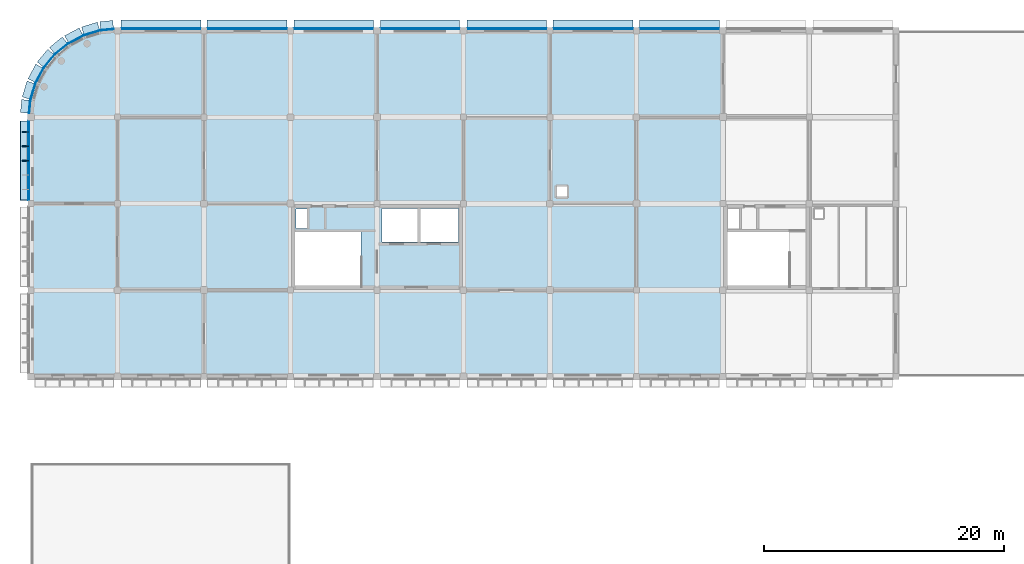
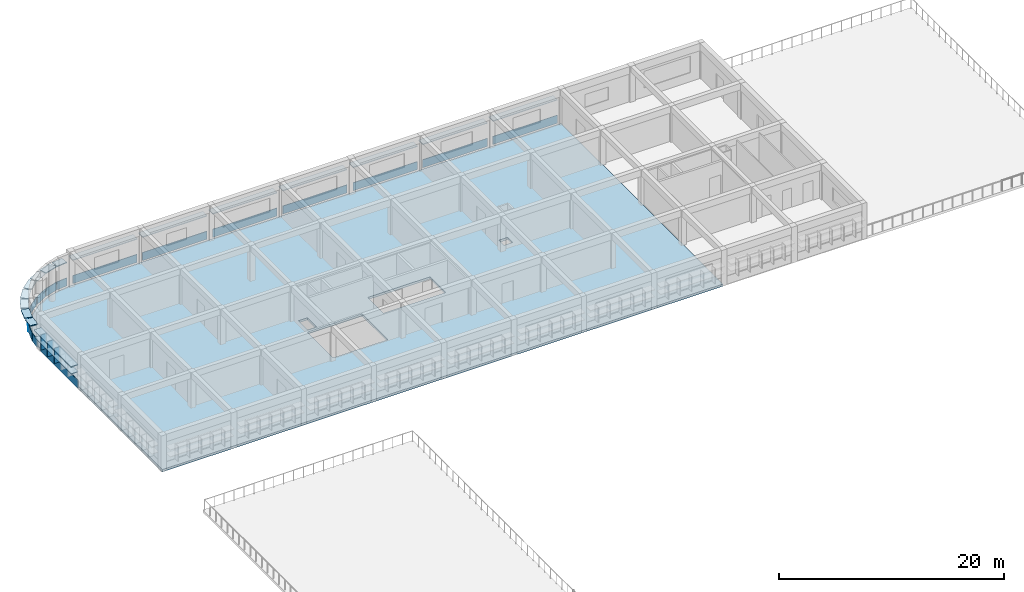
# One storey, part 8 of 22: 36 plates, 1 slab.
"""IFC4 building model written with IfcOpenShell, lengths in metres."""

from ifc_helpers import new_model, si_unit, direction, frame, origin, origin_2d, place, context, subcontext, project, spatial, polyline, rectangle, outline, extrude, material, layer, layer_set, type_object, element, save


model = new_model("IFC4")

# Units and contexts
model_context = context("Model", 3, precision=1e-05, world=origin(), true_north=direction((0.0, 1.0)))
body_context = subcontext(model_context, "Body", "Model", "MODEL_VIEW")
ifc_project = project(units=[si_unit("LENGTHUNIT", "METRE"), si_unit("AREAUNIT", "SQUARE_METRE"), si_unit("VOLUMEUNIT", "CUBIC_METRE"), si_unit("PLANEANGLEUNIT", "RADIAN"), si_unit("MASSUNIT", "GRAM", prefix="KILO")], contexts=[model_context])

# Site, building, storey
site_placement = place(None, origin())
site = spatial("IfcSite", under=ifc_project, at=site_placement, CompositionType="ELEMENT")
building_placement = place(site_placement, origin())
building = spatial("IfcBuilding", under=site, at=building_placement, Name="Thalmaran Polytechnic", CompositionType="ELEMENT")
storey_placement = place(building_placement, frame((0.0, 0.0, 22.800048828125)))
storey = spatial("IfcBuildingStorey", under=building, at=storey_placement, Name="L05", CompositionType="ELEMENT", Elevation=22.800048828125)

# Plates
ifc_material_1 = material(Name="Anodised aluminium spandrel band", Category="aluminium")
ifc_layer_1 = layer(ifc_material_1, 0.054931640625, Name="Anodised aluminium spandrel band")
ifc_layer_set_1 = layer_set([ifc_layer_1], Name="Anodised aluminium spandrel band")
plate_type_1 = type_object("IfcPlateType", Name="PT-BD01", PredefinedType="SHEET", material=ifc_layer_set_1)
plate_1_placement = place(storey_placement, frame((-0.195068359375, 111.580078125, 0.02001953125), z_axis=(0.0, 0.0, 1.0), x_axis=(0.0, 1.0, 0.0)))
element("IfcPlate", 1, at=plate_1_placement, inside=storey, type_object=plate_type_1, Name="Streamline Horizontal Spandrel Band L05-003", PredefinedType="SHEET", context=body_context, shape_type="SweptSolid", body=[
    extrude(rectangle(XDim=6.6201171875, YDim=0.054931640625, at=origin_2d()), origin(), (0.0, 0.0, 1.0), 0.8798828125),
])
plate_2_placement = place(storey_placement, frame((-0.110595703125, 116.065673828125, 0.02001953125), z_axis=(0.0, 0.0, 1.0), x_axis=(0.09801714033, 0.995184726672, 0.0)))
element("IfcPlate", 2, at=plate_2_placement, inside=storey, type_object=plate_type_1, Name="Streamline Horizontal Spandrel Band L05-004", PredefinedType="SHEET", context=body_context, shape_type="SweptSolid", body=[
    extrude(rectangle(XDim=1.081298828125, YDim=0.054931640625, at=origin_2d()), origin(), (0.0, 0.0, 1.0), 0.8798828125),
])
for number, where, z_axis, x_axis, name in (
    (3, (0.156494140625, 117.336669921875, 0.02001953125), (0.0, 0.0, 1.0), (0.290284677254, 0.956940335732, 0.0), "Streamline Horizontal Spandrel Band L05-005"),
    (4, (0.708740234375, 118.669677734375, 0.02001953125), (0.0, 0.0, 1.0), (0.471396736826, 0.881921264348, 0.0), "Streamline Horizontal Spandrel Band L05-006"),
    (5, (1.510498046875, 119.869384765625, 0.02001953125), (0.0, 0.0, 1.0), (0.634393284164, 0.773010453363, 0.0), "Streamline Horizontal Spandrel Band L05-007"),
    (6, (2.53076171875, 120.8896484375, 0.02001953125), (0.0, 0.0, 1.0), (0.773010453363, 0.634393284164, 0.0), "Streamline Horizontal Spandrel Band L05-008"),
    (7, (3.7421875, 121.669189453125, 0.02001953125), (0.0, 0.0, 1.0), (0.881921264348, 0.471396736826, 0.0), "Streamline Horizontal Spandrel Band L05-009"),
    (8, (5.070556640625, 122.219482421875, 0.02001953125), (0.0, 0.0, 1.0), (0.956940335732, 0.290284677254, 0.0), "Streamline Horizontal Spandrel Band L05-010"),
):
    element("IfcPlate", number, at=place(storey_placement, frame(where, z_axis=z_axis, x_axis=x_axis)), inside=storey, type_object=plate_type_1, Name=name, PredefinedType="SHEET", context=body_context, shape_type="SweptSolid", body=[
        extrude(rectangle(XDim=1.371337890625, YDim=0.054931640625, at=origin_2d()), origin(), (0.0, 0.0, 1.0), 0.8798828125),
    ])
plate_3_placement = place(storey_placement, frame((6.336669921875, 122.48583984375, 0.02001953125), z_axis=(0.0, 0.0, 1.0), x_axis=(0.995184726672, 0.09801714033, 0.0)))
element("IfcPlate", 9, at=plate_3_placement, inside=storey, type_object=plate_type_1, Name="Streamline Horizontal Spandrel Band L05-011", PredefinedType="SHEET", context=body_context, shape_type="SweptSolid", body=[
    extrude(rectangle(XDim=1.081298828125, YDim=0.054931640625, at=origin_2d()), origin(), (0.0, 0.0, 1.0), 0.8798828125),
])
plate_4_placement = place(storey_placement, frame((10.820068359375, 122.570068359375, 0.02001953125), z_axis=(0.0, 0.0, 1.0), x_axis=(1.0, 0.0, 0.0)))
element("IfcPlate", 10, at=plate_4_placement, inside=storey, type_object=plate_type_1, Name="Streamline Horizontal Spandrel Band L05-012", PredefinedType="SHEET", context=body_context, shape_type="SweptSolid", body=[
    extrude(rectangle(XDim=6.6201171875, YDim=0.054931640625, at=origin_2d()), origin(), (0.0, 0.0, 1.0), 0.8798828125),
])
plate_5_placement = place(storey_placement, frame((17.9951171875, 122.570068359375, 0.02001953125), z_axis=(0.0, 0.0, 1.0), x_axis=(1.0, 0.0, 0.0)))
element("IfcPlate", 11, at=plate_5_placement, inside=storey, type_object=plate_type_1, Name="Streamline Horizontal Spandrel Band L05-013", PredefinedType="SHEET", context=body_context, shape_type="SweptSolid", body=[
    extrude(rectangle(XDim=6.64990234375, YDim=0.054931640625, at=origin_2d()), origin(), (0.0, 0.0, 1.0), 0.8798828125),
])
plate_6_placement = place(storey_placement, frame((25.1923828125, 122.570068359375, 0.02001953125), z_axis=(0.0, 0.0, 1.0), x_axis=(1.0, 0.0, 0.0)))
element("IfcPlate", 12, at=plate_6_placement, inside=storey, type_object=plate_type_1, Name="Streamline Horizontal Spandrel Band L05-014", PredefinedType="SHEET", context=body_context, shape_type="SweptSolid", body=[
    extrude(rectangle(XDim=6.625, YDim=0.054931640625, at=origin_2d()), origin(), (0.0, 0.0, 1.0), 0.8798828125),
])
plate_7_placement = place(storey_placement, frame((32.392578125, 122.570068359375, 0.02001953125), z_axis=(0.0, 0.0, 1.0), x_axis=(1.0, 0.0, 0.0)))
element("IfcPlate", 13, at=plate_7_placement, inside=storey, type_object=plate_type_1, Name="Streamline Horizontal Spandrel Band L05-015", PredefinedType="SHEET", context=body_context, shape_type="SweptSolid", body=[
    extrude(rectangle(XDim=6.594970703125, YDim=0.054931640625, at=origin_2d()), origin(), (0.0, 0.0, 1.0), 0.8798828125),
])
plate_8_placement = place(storey_placement, frame((39.6201171875, 122.570068359375, 0.02001953125), z_axis=(0.0, 0.0, 1.0), x_axis=(1.0, 0.0, 0.0)))
element("IfcPlate", 14, at=plate_8_placement, inside=storey, type_object=plate_type_1, Name="Streamline Horizontal Spandrel Band L05-016", PredefinedType="SHEET", context=body_context, shape_type="SweptSolid", body=[
    extrude(rectangle(XDim=6.6201171875, YDim=0.054931640625, at=origin_2d()), origin(), (0.0, 0.0, 1.0), 0.8798828125),
])
plate_9_placement = place(storey_placement, frame((46.794921875, 122.570068359375, 0.02001953125), z_axis=(0.0, 0.0, 1.0), x_axis=(1.0, 0.0, 0.0)))
element("IfcPlate", 15, at=plate_9_placement, inside=storey, type_object=plate_type_1, Name="Streamline Horizontal Spandrel Band L05-017", PredefinedType="SHEET", context=body_context, shape_type="SweptSolid", body=[
    extrude(rectangle(XDim=6.64990234375, YDim=0.054931640625, at=origin_2d()), origin(), (0.0, 0.0, 1.0), 0.8798828125),
])
plate_10_placement = place(storey_placement, frame((53.992431640625, 122.570068359375, 0.02001953125), z_axis=(0.0, 0.0, 1.0), x_axis=(1.0, 0.0, 0.0)))
element("IfcPlate", 16, at=plate_10_placement, inside=storey, type_object=plate_type_1, Name="Streamline Horizontal Spandrel Band L05-018", PredefinedType="SHEET", context=body_context, shape_type="SweptSolid", body=[
    extrude(rectangle(XDim=6.625, YDim=0.054931640625, at=origin_2d()), origin(), (0.0, 0.0, 1.0), 0.8798828125),
])
ifc_material_2 = material(Name="Anodised aluminium sun-hood eyebrow", Category="aluminium")
ifc_layer_2 = layer(ifc_material_2, 0.0849609375, Name="Anodised aluminium sun-hood eyebrow")
ifc_layer_set_2 = layer_set([ifc_layer_2], Name="Anodised aluminium sun-hood eyebrow")
plate_type_2 = type_object("IfcPlateType", Name="PT-EB01", PredefinedType="SHEET", material=ifc_layer_set_2)
plate_11_placement = place(storey_placement, frame((-0.5400390625, 111.580078125, 2.517578125), z_axis=(0.0, 0.0, 1.0), x_axis=(0.0, 1.0, 0.0)))
element("IfcPlate", 17, at=plate_11_placement, inside=storey, type_object=plate_type_2, Name="Streamline Sun-Hood Eyebrow L05-003", PredefinedType="SHEET", context=body_context, shape_type="SweptSolid", body=[
    extrude(rectangle(XDim=6.6201171875, YDim=0.760009765625, at=origin_2d()), origin(), (0.0, 0.0, 1.0), 0.0849609375),
])
plate_12_placement = place(storey_placement, frame((-0.52001953125, 111.580078125, 1.74267578125), z_axis=(0.0, 0.0, 1.0), x_axis=(0.0, 1.0, 0.0)))
element("IfcPlate", 18, at=plate_12_placement, inside=storey, type_object=plate_type_2, Name="Abu Dhabi Horizontal Solar Louvre L05-003", PredefinedType="SHEET", context=body_context, shape_type="SweptSolid", body=[
    extrude(rectangle(XDim=6.580078125, YDim=0.719970703125, at=origin_2d()), origin(), (0.0, 0.0, 1.0), 0.074951171875),
])
plate_13_placement = place(storey_placement, frame((-0.4541015625, 116.099609375, 2.517578125), z_axis=(0.0, 0.0, 1.0), x_axis=(0.09801714033, 0.995184726672, 0.0)))
element("IfcPlate", 19, at=plate_13_placement, inside=storey, type_object=plate_type_2, Name="Streamline Sun-Hood Eyebrow L05-004", PredefinedType="SHEET", context=body_context, shape_type="SweptSolid", body=[
    extrude(rectangle(XDim=1.081298828125, YDim=0.760009765625, at=origin_2d()), origin(), (0.0, 0.0, 1.0), 0.0849609375),
])
for number, where, z_axis, x_axis, name in (
    (20, (-0.173583984375, 117.436767578125, 2.517578125), (0.0, 0.0, 1.0), (0.290284677254, 0.956940335732, 0.0), "Streamline Sun-Hood Eyebrow L05-005"),
    (21, (0.404541015625, 118.832275390625, 2.517578125), (0.0, 0.0, 1.0), (0.471396736826, 0.881921264348, 0.0), "Streamline Sun-Hood Eyebrow L05-006"),
    (22, (1.24365234375, 120.088134765625, 2.517578125), (0.0, 0.0, 1.0), (0.634393284164, 0.773010453363, 0.0), "Streamline Sun-Hood Eyebrow L05-007"),
    (23, (2.311767578125, 121.15625, 2.517578125), (0.0, 0.0, 1.0), (0.773010453363, 0.634393284164, 0.0), "Streamline Sun-Hood Eyebrow L05-008"),
    (24, (3.57958984375, 121.973388671875, 2.517578125), (0.0, 0.0, 1.0), (0.881921264348, 0.471396736826, 0.0), "Streamline Sun-Hood Eyebrow L05-009"),
    (25, (4.970458984375, 122.549560546875, 2.517578125), (0.0, 0.0, 1.0), (0.956940335732, 0.290284677254, 0.0), "Streamline Sun-Hood Eyebrow L05-010"),
):
    element("IfcPlate", number, at=place(storey_placement, frame(where, z_axis=z_axis, x_axis=x_axis)), inside=storey, type_object=plate_type_2, Name=name, PredefinedType="SHEET", context=body_context, shape_type="SweptSolid", body=[
        extrude(rectangle(XDim=1.371337890625, YDim=0.760009765625, at=origin_2d()), origin(), (0.0, 0.0, 1.0), 0.0849609375),
    ])
plate_14_placement = place(storey_placement, frame((6.302978515625, 122.8291015625, 2.517578125), z_axis=(0.0, 0.0, 1.0), x_axis=(0.995184726672, 0.09801714033, 0.0)))
element("IfcPlate", 26, at=plate_14_placement, inside=storey, type_object=plate_type_2, Name="Streamline Sun-Hood Eyebrow L05-011", PredefinedType="SHEET", context=body_context, shape_type="SweptSolid", body=[
    extrude(rectangle(XDim=1.081298828125, YDim=0.760009765625, at=origin_2d()), origin(), (0.0, 0.0, 1.0), 0.0849609375),
])
plate_15_placement = place(storey_placement, frame((10.820068359375, 122.9150390625, 2.517578125), z_axis=(0.0, 0.0, 1.0), x_axis=(1.0, 0.0, 0.0)))
element("IfcPlate", 27, at=plate_15_placement, inside=storey, type_object=plate_type_2, Name="Streamline Sun-Hood Eyebrow L05-012", PredefinedType="SHEET", context=body_context, shape_type="SweptSolid", body=[
    extrude(rectangle(XDim=6.6201171875, YDim=0.760009765625, at=origin_2d()), origin(), (0.0, 0.0, 1.0), 0.0849609375),
])
plate_16_placement = place(storey_placement, frame((17.9951171875, 122.9150390625, 2.517578125), z_axis=(0.0, 0.0, 1.0), x_axis=(1.0, 0.0, 0.0)))
element("IfcPlate", 28, at=plate_16_placement, inside=storey, type_object=plate_type_2, Name="Streamline Sun-Hood Eyebrow L05-013", PredefinedType="SHEET", context=body_context, shape_type="SweptSolid", body=[
    extrude(rectangle(XDim=6.64990234375, YDim=0.760009765625, at=origin_2d()), origin(), (0.0, 0.0, 1.0), 0.0849609375),
])
plate_17_placement = place(storey_placement, frame((25.1923828125, 122.9150390625, 2.517578125), z_axis=(0.0, 0.0, 1.0), x_axis=(1.0, 0.0, 0.0)))
element("IfcPlate", 29, at=plate_17_placement, inside=storey, type_object=plate_type_2, Name="Streamline Sun-Hood Eyebrow L05-014", PredefinedType="SHEET", context=body_context, shape_type="SweptSolid", body=[
    extrude(rectangle(XDim=6.625, YDim=0.760009765625, at=origin_2d()), origin(), (0.0, 0.0, 1.0), 0.0849609375),
])
plate_18_placement = place(storey_placement, frame((32.392578125, 122.9150390625, 2.517578125), z_axis=(0.0, 0.0, 1.0), x_axis=(1.0, 0.0, 0.0)))
element("IfcPlate", 30, at=plate_18_placement, inside=storey, type_object=plate_type_2, Name="Streamline Sun-Hood Eyebrow L05-015", PredefinedType="SHEET", context=body_context, shape_type="SweptSolid", body=[
    extrude(rectangle(XDim=6.594970703125, YDim=0.760009765625, at=origin_2d()), origin(), (0.0, 0.0, 1.0), 0.0849609375),
])
plate_19_placement = place(storey_placement, frame((39.6201171875, 122.9150390625, 2.517578125), z_axis=(0.0, 0.0, 1.0), x_axis=(1.0, 0.0, 0.0)))
element("IfcPlate", 31, at=plate_19_placement, inside=storey, type_object=plate_type_2, Name="Streamline Sun-Hood Eyebrow L05-016", PredefinedType="SHEET", context=body_context, shape_type="SweptSolid", body=[
    extrude(rectangle(XDim=6.6201171875, YDim=0.760009765625, at=origin_2d()), origin(), (0.0, 0.0, 1.0), 0.0849609375),
])
plate_20_placement = place(storey_placement, frame((46.794921875, 122.9150390625, 2.517578125), z_axis=(0.0, 0.0, 1.0), x_axis=(1.0, 0.0, 0.0)))
element("IfcPlate", 32, at=plate_20_placement, inside=storey, type_object=plate_type_2, Name="Streamline Sun-Hood Eyebrow L05-017", PredefinedType="SHEET", context=body_context, shape_type="SweptSolid", body=[
    extrude(rectangle(XDim=6.64990234375, YDim=0.760009765625, at=origin_2d()), origin(), (0.0, 0.0, 1.0), 0.0849609375),
])
plate_21_placement = place(storey_placement, frame((53.992431640625, 122.9150390625, 2.517578125), z_axis=(0.0, 0.0, 1.0), x_axis=(1.0, 0.0, 0.0)))
element("IfcPlate", 33, at=plate_21_placement, inside=storey, type_object=plate_type_2, Name="Streamline Sun-Hood Eyebrow L05-018", PredefinedType="SHEET", context=body_context, shape_type="SweptSolid", body=[
    extrude(rectangle(XDim=6.625, YDim=0.760009765625, at=origin_2d()), origin(), (0.0, 0.0, 1.0), 0.0849609375),
])
ifc_material_3 = material(Name="Anodised bronze brise-soleil fin")
ifc_layer_3 = layer(ifc_material_3, 0.06494140625, Name="Anodised bronze brise-soleil fin")
ifc_layer_set_3 = layer_set([ifc_layer_3], Name="Anodised bronze brise-soleil fin")
plate_type_3 = type_object("IfcPlateType", Name="PT-FN01", PredefinedType="SHEET", material=ifc_layer_set_3)
for number, where, z_axis, x_axis, name in (
    (34, (-0.4599609375, 111.580078125, 0.89501953125), (0.0, 0.0, 1.0), (0.0, 1.0, 0.0), "Abu Dhabi Solar Brise-Soleil Fin L05-003-3"),
    (35, (-0.4599609375, 112.77880859375, 0.89501953125), (0.0, 0.0, 1.0), (0.0, 1.0, 0.0), "Abu Dhabi Solar Brise-Soleil Fin L05-003-4"),
    (36, (-0.4599609375, 113.9775390625, 0.89501953125), (0.0, 0.0, 1.0), (0.0, 1.0, 0.0), "Abu Dhabi Solar Brise-Soleil Fin L05-003-5"),
):
    element("IfcPlate", number, at=place(storey_placement, frame(where, z_axis=z_axis, x_axis=x_axis)), inside=storey, type_object=plate_type_3, Name=name, PredefinedType="SHEET", context=body_context, shape_type="SweptSolid", body=[
        extrude(rectangle(XDim=0.06494140625, YDim=0.56005859375, at=origin_2d()), origin(), (0.0, 0.0, 1.0), 1.64990234375),
    ])

# Slab
ifc_material_4 = material(Name="Concrete C40/50", Category="concrete")
ifc_layer_4 = layer(ifc_material_4, 0.2451171875, Name="Concrete C40/50")
ifc_layer_set_4 = layer_set([ifc_layer_4], Name="Concrete C40/50")
slab_type = type_object("IfcSlabType", Name="SL-FL07", PredefinedType="FLOOR", material=ifc_layer_set_4)
slab_placement = place(storey_placement, frame((0.0, 0.0, -0.2451171875)))
element("IfcSlab", 37, at=slab_placement, inside=storey, type_object=slab_type, Name="V2W L05 Structural Slab", PredefinedType="FLOOR", context=body_context, shape_type="SweptSolid", body=[
    extrude(outline(polyline([(0.0, 108.0), (0.0, 115.199951171875), (0.138427734375, 116.604736328125), (0.548095703125, 117.955322265625), (1.21337890625, 119.2001953125), (2.10888671875, 120.291259765625), (3.199951171875, 121.1865234375), (4.444580078125, 121.85205078125), (5.79541015625, 122.26171875), (7.199951171875, 122.39990234375), (14.39990234375, 122.39990234375), (21.60009765625, 122.39990234375), (28.800048828125, 122.39990234375), (36.0, 122.39990234375), (43.199951171875, 122.39990234375), (50.39990234375, 122.39990234375), (57.60009765625, 122.39990234375), (57.60009765625, 115.199951171875), (57.60009765625, 108.0), (57.60009765625, 100.800048828125), (57.60009765625, 93.60009765625), (50.39990234375, 93.60009765625), (43.199951171875, 93.60009765625), (36.0, 93.60009765625), (28.800048828125, 93.60009765625), (21.60009765625, 93.60009765625), (14.39990234375, 93.60009765625), (7.199951171875, 93.60009765625), (0.0, 93.60009765625), (0.0, 100.800048828125), (0.0, 108.0)]), holes=[polyline([(44.64990234375, 109.449951171875), (43.75, 109.449951171875), (43.75, 108.550048828125), (44.64990234375, 108.550048828125), (44.64990234375, 109.449951171875)]), polyline([(29.199951171875, 107.60009765625), (29.199951171875, 104.800048828125), (35.60009765625, 104.800048828125), (35.60009765625, 107.60009765625), (29.199951171875, 107.60009765625)]), polyline([(27.47998046875, 101.050048828125), (27.47998046875, 105.639892578125), (21.85009765625, 105.639892578125), (21.85009765625, 101.050048828125), (27.47998046875, 101.050048828125)]), polyline([(22.0400390625, 105.93994140625), (22.9599609375, 105.93994140625), (22.9599609375, 107.56005859375), (22.0400390625, 107.56005859375), (22.0400390625, 105.93994140625)])]), origin(), (0.0, 0.0, 1.0), 0.2451171875),
])

save(model, "model.ifc")
